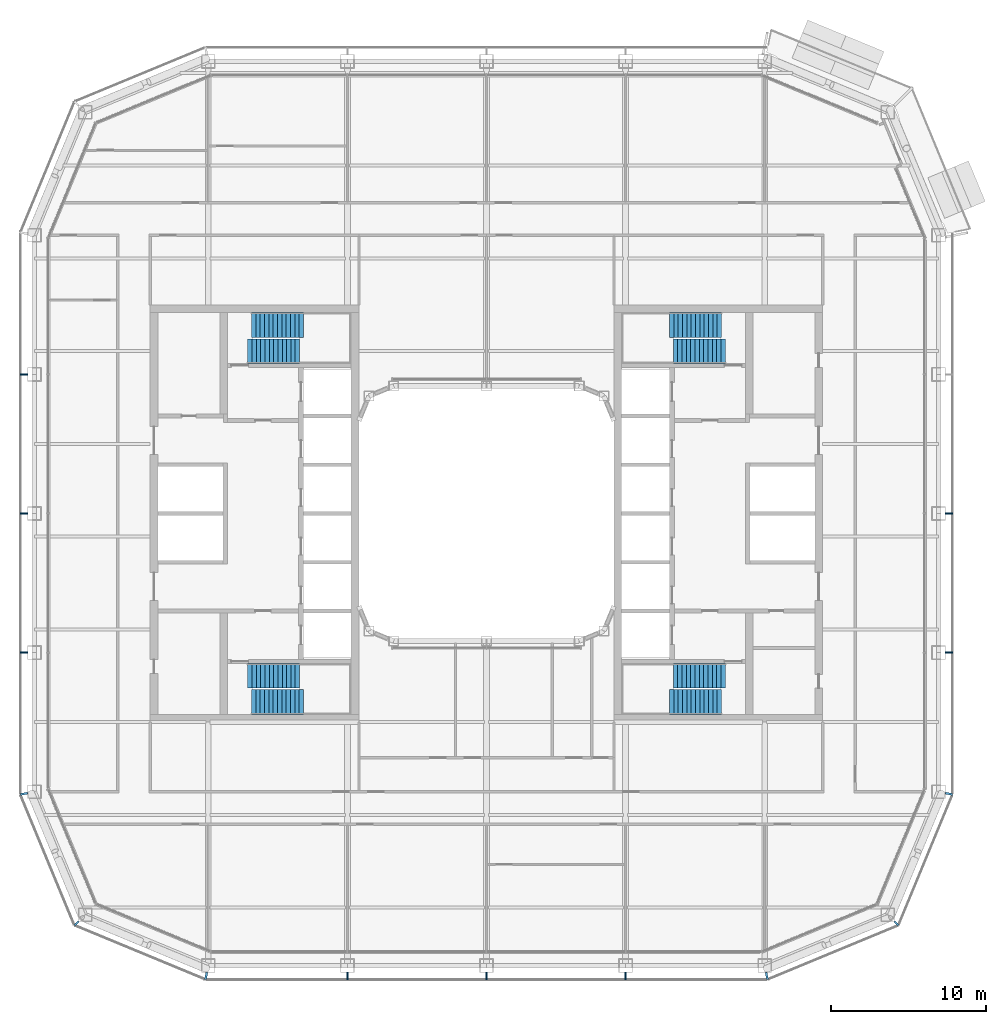
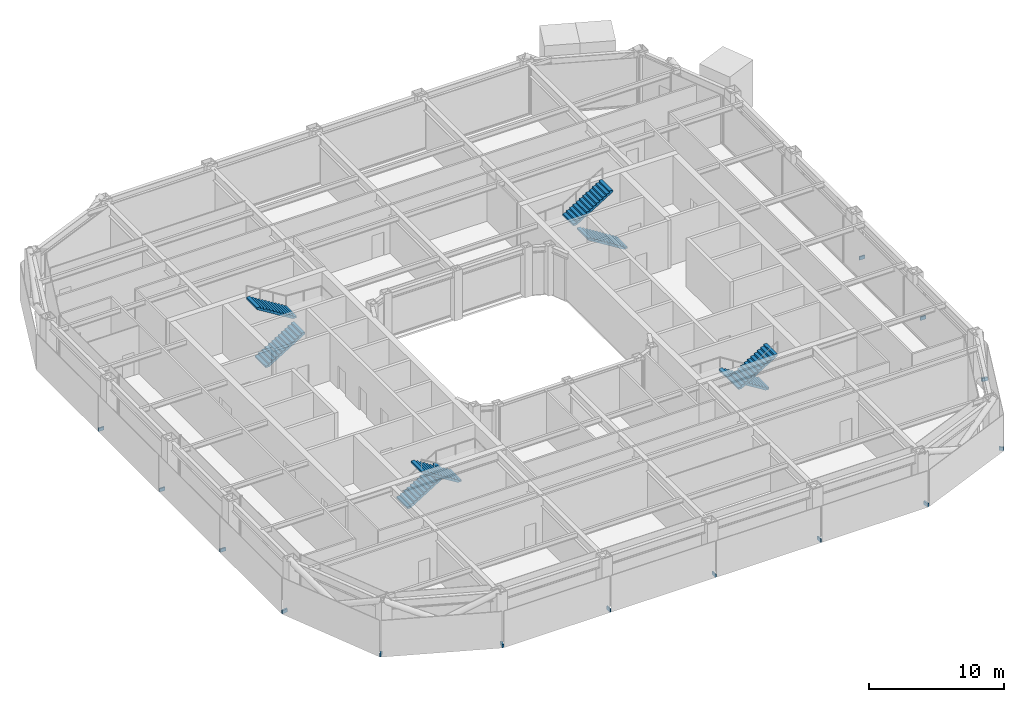
# One storey, part 15 of 23: 14 discrete accessories, 8 stair flights, 4 elements without a shape of their own.
"""IFC4 building model written with IfcOpenShell, lengths in metres."""

from ifc_helpers import new_model, si_unit, direction, frame, origin, origin_2d, place, context, subcontext, project, spatial, polyline, rectangle, outline, extrude, material, type_object, element, aggregate, save


model = new_model("IFC4")

# Units and contexts
model_context = context("Model", 3, precision=1e-05, world=origin(), true_north=direction((0.0, 1.0)))
body_context = subcontext(model_context, "Body", "Model", "MODEL_VIEW")
ifc_project = project(units=[si_unit("LENGTHUNIT", "METRE"), si_unit("AREAUNIT", "SQUARE_METRE"), si_unit("VOLUMEUNIT", "CUBIC_METRE"), si_unit("PLANEANGLEUNIT", "RADIAN"), si_unit("MASSUNIT", "GRAM", prefix="KILO")], contexts=[model_context])

# Site, building, storey
site_placement = place(None, origin())
site = spatial("IfcSite", under=ifc_project, at=site_placement, CompositionType="ELEMENT")
building_placement = place(site_placement, origin())
building = spatial("IfcBuilding", under=site, at=building_placement, Name="Siwar Civic Tower", CompositionType="ELEMENT")
storey_placement = place(building_placement, frame((0.0, 0.0, 167.699951171875)))
storey = spatial("IfcBuildingStorey", under=building, at=storey_placement, Name="L36", CompositionType="ELEMENT", Elevation=167.699951171875)

# Stair, stair flights
ifc_material_1 = material(Name="Concrete C40/50", Category="concrete")
stair_type = type_object("IfcStairType", Name="CORE-STAIR", PredefinedType="TWO_STRAIGHT_RUN_STAIR", material=ifc_material_1)
stair_1_placement = place(storey_placement, origin())
stair_1 = element("IfcStair", 1, at=stair_1_placement, inside=storey, type_object=stair_type, Name="Exit stair ST1", PredefinedType="TWO_STRAIGHT_RUN_STAIR")
ifc_material_2 = material(Name="Concrete C40/50", Category="concrete")
stair_flight_type = type_object("IfcStairFlightType", Name="CORE-STAIR-FLIGHT", PredefinedType="STRAIGHT", material=ifc_material_2)
stair_flight_1_placement = place(storey_placement, frame((-15.449951171875, 10.5, 0.0), z_axis=(0.0, 0.0, 1.0), x_axis=(1.0, 0.0, 0.0)))
stair_flight_1 = element("IfcStairFlight", 2, at=stair_flight_1_placement, type_object=stair_flight_type, Name="ST1 flight 1", NumberOfRisers=13, NumberOfTreads=12, PredefinedType="STRAIGHT", RiserHeight=0.173076923, TreadLength=0.28, context=body_context, shape_type="SweptSolid", body=[
    extrude(outline(polyline([(0.0, 0.0), (0.0, 0.173095703125), (0.280029296875, 0.173095703125), (0.280029296875, 0.34619140625), (0.56005859375, 0.34619140625), (0.56005859375, 0.519287109375), (0.840087890625, 0.519287109375), (0.840087890625, 0.6923828125), (1.1201171875, 0.6923828125), (1.1201171875, 0.865478515625), (1.39990234375, 0.865478515625), (1.39990234375, 1.03857421875), (1.679931640625, 1.03857421875), (1.679931640625, 1.21142578125), (1.9599609375, 1.21142578125), (1.9599609375, 1.384521484375), (2.239990234375, 1.384521484375), (2.239990234375, 1.5576171875), (2.52001953125, 1.5576171875), (2.52001953125, 1.730712890625), (2.800048828125, 1.730712890625), (2.800048828125, 1.90380859375), (3.080078125, 1.90380859375), (3.080078125, 2.076904296875), (3.360107421875, 2.076904296875), (3.360107421875, 2.25), (3.360107421875, 1.900634765625), (0.28515625, 0.0), (0.0, 0.0)])), frame((0.0, 0.800048828125, 0.0), z_axis=(0.0, -1.0, 0.0), x_axis=(1.0, 0.0, 0.0)), (0.0, 0.0, 1.0), 1.60009765625),
])
stair_flight_2_placement = place(storey_placement, frame((-11.840087890625, 12.199951171875, 2.25), z_axis=(0.0, 0.0, 1.0), x_axis=(-1.0, 0.0, 0.0)))
stair_flight_2 = element("IfcStairFlight", 3, at=stair_flight_2_placement, type_object=stair_flight_type, Name="ST1 flight 2", NumberOfRisers=13, NumberOfTreads=12, PredefinedType="STRAIGHT", RiserHeight=0.173076923, TreadLength=0.28, context=body_context, shape_type="SweptSolid", body=[
    extrude(outline(polyline([(0.0, 0.0), (0.0, 0.173095703125), (0.280029296875, 0.173095703125), (0.280029296875, 0.34619140625), (0.56005859375, 0.34619140625), (0.56005859375, 0.519287109375), (0.840087890625, 0.519287109375), (0.840087890625, 0.6923828125), (1.1201171875, 0.6923828125), (1.1201171875, 0.865478515625), (1.39990234375, 0.865478515625), (1.39990234375, 1.03857421875), (1.679931640625, 1.03857421875), (1.679931640625, 1.21142578125), (1.9599609375, 1.21142578125), (1.9599609375, 1.384521484375), (2.239990234375, 1.384521484375), (2.239990234375, 1.5576171875), (2.52001953125, 1.5576171875), (2.52001953125, 1.730712890625), (2.800048828125, 1.730712890625), (2.800048828125, 1.90380859375), (3.080078125, 1.90380859375), (3.080078125, 2.076904296875), (3.360107421875, 2.076904296875), (3.360107421875, 2.25), (3.360107421875, 1.900634765625), (0.28515625, 0.0), (0.0, 0.0)])), frame((0.0, 0.800048828125, 0.0), z_axis=(0.0, -1.0, 0.0), x_axis=(1.0, 0.0, 0.0)), (0.0, 0.0, 1.0), 1.60009765625),
])
aggregate(stair_1, [stair_flight_1, stair_flight_2])

stair_2_placement = place(storey_placement, origin())
stair_2 = element("IfcStair", 4, at=stair_2_placement, inside=storey, type_object=stair_type, Name="Exit stair ST2", PredefinedType="TWO_STRAIGHT_RUN_STAIR")
stair_flight_3_placement = place(storey_placement, frame((-15.449951171875, -10.5, 0.0), z_axis=(0.0, 0.0, 1.0), x_axis=(1.0, 0.0, 0.0)))
stair_flight_3 = element("IfcStairFlight", 5, at=stair_flight_3_placement, type_object=stair_flight_type, Name="ST2 flight 1", NumberOfRisers=13, NumberOfTreads=12, PredefinedType="STRAIGHT", RiserHeight=0.173076923, TreadLength=0.28, context=body_context, shape_type="SweptSolid", body=[
    extrude(outline(polyline([(0.0, 0.0), (0.0, 0.173095703125), (0.280029296875, 0.173095703125), (0.280029296875, 0.34619140625), (0.56005859375, 0.34619140625), (0.56005859375, 0.519287109375), (0.840087890625, 0.519287109375), (0.840087890625, 0.6923828125), (1.1201171875, 0.6923828125), (1.1201171875, 0.865478515625), (1.39990234375, 0.865478515625), (1.39990234375, 1.03857421875), (1.679931640625, 1.03857421875), (1.679931640625, 1.21142578125), (1.9599609375, 1.21142578125), (1.9599609375, 1.384521484375), (2.239990234375, 1.384521484375), (2.239990234375, 1.5576171875), (2.52001953125, 1.5576171875), (2.52001953125, 1.730712890625), (2.800048828125, 1.730712890625), (2.800048828125, 1.90380859375), (3.080078125, 1.90380859375), (3.080078125, 2.076904296875), (3.360107421875, 2.076904296875), (3.360107421875, 2.25), (3.360107421875, 1.900634765625), (0.28515625, 0.0), (0.0, 0.0)])), frame((0.0, 0.800048828125, 0.0), z_axis=(0.0, -1.0, 0.0), x_axis=(1.0, 0.0, 0.0)), (0.0, 0.0, 1.0), 1.60009765625),
])
stair_flight_4_placement = place(storey_placement, frame((-11.840087890625, -12.199951171875, 2.25), z_axis=(0.0, 0.0, 1.0), x_axis=(-1.0, 0.0, 0.0)))
stair_flight_4 = element("IfcStairFlight", 6, at=stair_flight_4_placement, type_object=stair_flight_type, Name="ST2 flight 2", NumberOfRisers=13, NumberOfTreads=12, PredefinedType="STRAIGHT", RiserHeight=0.173076923, TreadLength=0.28, context=body_context, shape_type="SweptSolid", body=[
    extrude(outline(polyline([(0.0, 0.0), (0.0, 0.173095703125), (0.280029296875, 0.173095703125), (0.280029296875, 0.34619140625), (0.56005859375, 0.34619140625), (0.56005859375, 0.519287109375), (0.840087890625, 0.519287109375), (0.840087890625, 0.6923828125), (1.1201171875, 0.6923828125), (1.1201171875, 0.865478515625), (1.39990234375, 0.865478515625), (1.39990234375, 1.03857421875), (1.679931640625, 1.03857421875), (1.679931640625, 1.21142578125), (1.9599609375, 1.21142578125), (1.9599609375, 1.384521484375), (2.239990234375, 1.384521484375), (2.239990234375, 1.5576171875), (2.52001953125, 1.5576171875), (2.52001953125, 1.730712890625), (2.800048828125, 1.730712890625), (2.800048828125, 1.90380859375), (3.080078125, 1.90380859375), (3.080078125, 2.076904296875), (3.360107421875, 2.076904296875), (3.360107421875, 2.25), (3.360107421875, 1.900634765625), (0.28515625, 0.0), (0.0, 0.0)])), frame((0.0, 0.800048828125, 0.0), z_axis=(0.0, -1.0, 0.0), x_axis=(1.0, 0.0, 0.0)), (0.0, 0.0, 1.0), 1.60009765625),
])
aggregate(stair_2, [stair_flight_3, stair_flight_4])

stair_3_placement = place(storey_placement, origin())
stair_3 = element("IfcStair", 7, at=stair_3_placement, inside=storey, type_object=stair_type, Name="Exit stair ST3", PredefinedType="TWO_STRAIGHT_RUN_STAIR")
stair_flight_5_placement = place(storey_placement, frame((15.449951171875, 10.5, 0.0), z_axis=(0.0, 0.0, 1.0), x_axis=(-1.0, 0.0, 0.0)))
stair_flight_5 = element("IfcStairFlight", 8, at=stair_flight_5_placement, type_object=stair_flight_type, Name="ST3 flight 1", NumberOfRisers=13, NumberOfTreads=12, PredefinedType="STRAIGHT", RiserHeight=0.173076923, TreadLength=0.28, context=body_context, shape_type="SweptSolid", body=[
    extrude(outline(polyline([(0.0, 0.0), (0.0, 0.173095703125), (0.280029296875, 0.173095703125), (0.280029296875, 0.34619140625), (0.56005859375, 0.34619140625), (0.56005859375, 0.519287109375), (0.840087890625, 0.519287109375), (0.840087890625, 0.6923828125), (1.1201171875, 0.6923828125), (1.1201171875, 0.865478515625), (1.39990234375, 0.865478515625), (1.39990234375, 1.03857421875), (1.679931640625, 1.03857421875), (1.679931640625, 1.21142578125), (1.9599609375, 1.21142578125), (1.9599609375, 1.384521484375), (2.239990234375, 1.384521484375), (2.239990234375, 1.5576171875), (2.52001953125, 1.5576171875), (2.52001953125, 1.730712890625), (2.800048828125, 1.730712890625), (2.800048828125, 1.90380859375), (3.080078125, 1.90380859375), (3.080078125, 2.076904296875), (3.360107421875, 2.076904296875), (3.360107421875, 2.25), (3.360107421875, 1.900634765625), (0.28515625, 0.0), (0.0, 0.0)])), frame((0.0, 0.800048828125, 0.0), z_axis=(0.0, -1.0, 0.0), x_axis=(1.0, 0.0, 0.0)), (0.0, 0.0, 1.0), 1.60009765625),
])
stair_flight_6_placement = place(storey_placement, frame((11.840087890625, 12.199951171875, 2.25), z_axis=(0.0, 0.0, 1.0), x_axis=(1.0, 0.0, 0.0)))
stair_flight_6 = element("IfcStairFlight", 9, at=stair_flight_6_placement, type_object=stair_flight_type, Name="ST3 flight 2", NumberOfRisers=13, NumberOfTreads=12, PredefinedType="STRAIGHT", RiserHeight=0.173076923, TreadLength=0.28, context=body_context, shape_type="SweptSolid", body=[
    extrude(outline(polyline([(0.0, 0.0), (0.0, 0.173095703125), (0.280029296875, 0.173095703125), (0.280029296875, 0.34619140625), (0.56005859375, 0.34619140625), (0.56005859375, 0.519287109375), (0.840087890625, 0.519287109375), (0.840087890625, 0.6923828125), (1.1201171875, 0.6923828125), (1.1201171875, 0.865478515625), (1.39990234375, 0.865478515625), (1.39990234375, 1.03857421875), (1.679931640625, 1.03857421875), (1.679931640625, 1.21142578125), (1.9599609375, 1.21142578125), (1.9599609375, 1.384521484375), (2.239990234375, 1.384521484375), (2.239990234375, 1.5576171875), (2.52001953125, 1.5576171875), (2.52001953125, 1.730712890625), (2.800048828125, 1.730712890625), (2.800048828125, 1.90380859375), (3.080078125, 1.90380859375), (3.080078125, 2.076904296875), (3.360107421875, 2.076904296875), (3.360107421875, 2.25), (3.360107421875, 1.900634765625), (0.28515625, 0.0), (0.0, 0.0)])), frame((0.0, 0.800048828125, 0.0), z_axis=(0.0, -1.0, 0.0), x_axis=(1.0, 0.0, 0.0)), (0.0, 0.0, 1.0), 1.60009765625),
])
aggregate(stair_3, [stair_flight_5, stair_flight_6])

stair_4_placement = place(storey_placement, origin())
stair_4 = element("IfcStair", 10, at=stair_4_placement, inside=storey, type_object=stair_type, Name="Exit stair ST4", PredefinedType="TWO_STRAIGHT_RUN_STAIR")
stair_flight_7_placement = place(storey_placement, frame((15.449951171875, -10.5, 0.0), z_axis=(0.0, 0.0, 1.0), x_axis=(-1.0, 0.0, 0.0)))
stair_flight_7 = element("IfcStairFlight", 11, at=stair_flight_7_placement, type_object=stair_flight_type, Name="ST4 flight 1", NumberOfRisers=13, NumberOfTreads=12, PredefinedType="STRAIGHT", RiserHeight=0.173076923, TreadLength=0.28, context=body_context, shape_type="SweptSolid", body=[
    extrude(outline(polyline([(0.0, 0.0), (0.0, 0.173095703125), (0.280029296875, 0.173095703125), (0.280029296875, 0.34619140625), (0.56005859375, 0.34619140625), (0.56005859375, 0.519287109375), (0.840087890625, 0.519287109375), (0.840087890625, 0.6923828125), (1.1201171875, 0.6923828125), (1.1201171875, 0.865478515625), (1.39990234375, 0.865478515625), (1.39990234375, 1.03857421875), (1.679931640625, 1.03857421875), (1.679931640625, 1.21142578125), (1.9599609375, 1.21142578125), (1.9599609375, 1.384521484375), (2.239990234375, 1.384521484375), (2.239990234375, 1.5576171875), (2.52001953125, 1.5576171875), (2.52001953125, 1.730712890625), (2.800048828125, 1.730712890625), (2.800048828125, 1.90380859375), (3.080078125, 1.90380859375), (3.080078125, 2.076904296875), (3.360107421875, 2.076904296875), (3.360107421875, 2.25), (3.360107421875, 1.900634765625), (0.28515625, 0.0), (0.0, 0.0)])), frame((0.0, 0.800048828125, 0.0), z_axis=(0.0, -1.0, 0.0), x_axis=(1.0, 0.0, 0.0)), (0.0, 0.0, 1.0), 1.60009765625),
])
stair_flight_8_placement = place(storey_placement, frame((11.840087890625, -12.199951171875, 2.25), z_axis=(0.0, 0.0, 1.0), x_axis=(1.0, 0.0, 0.0)))
stair_flight_8 = element("IfcStairFlight", 12, at=stair_flight_8_placement, type_object=stair_flight_type, Name="ST4 flight 2", NumberOfRisers=13, NumberOfTreads=12, PredefinedType="STRAIGHT", RiserHeight=0.173076923, TreadLength=0.28, context=body_context, shape_type="SweptSolid", body=[
    extrude(outline(polyline([(0.0, 0.0), (0.0, 0.173095703125), (0.280029296875, 0.173095703125), (0.280029296875, 0.34619140625), (0.56005859375, 0.34619140625), (0.56005859375, 0.519287109375), (0.840087890625, 0.519287109375), (0.840087890625, 0.6923828125), (1.1201171875, 0.6923828125), (1.1201171875, 0.865478515625), (1.39990234375, 0.865478515625), (1.39990234375, 1.03857421875), (1.679931640625, 1.03857421875), (1.679931640625, 1.21142578125), (1.9599609375, 1.21142578125), (1.9599609375, 1.384521484375), (2.239990234375, 1.384521484375), (2.239990234375, 1.5576171875), (2.52001953125, 1.5576171875), (2.52001953125, 1.730712890625), (2.800048828125, 1.730712890625), (2.800048828125, 1.90380859375), (3.080078125, 1.90380859375), (3.080078125, 2.076904296875), (3.360107421875, 2.076904296875), (3.360107421875, 2.25), (3.360107421875, 1.900634765625), (0.28515625, 0.0), (0.0, 0.0)])), frame((0.0, 0.800048828125, 0.0), z_axis=(0.0, -1.0, 0.0), x_axis=(1.0, 0.0, 0.0)), (0.0, 0.0, 1.0), 1.60009765625),
])
aggregate(stair_4, [stair_flight_7, stair_flight_8])

# Discrete accessories
ifc_material_3 = material(Name="Stainless steel 316", Category="steel")
discrete_accessory_type = type_object("IfcDiscreteAccessoryType", Name="ENV-BRACKET", PredefinedType="BRACKET", material=ifc_material_3)
for number, where, z_axis, x_axis, name in (
    (13, (29.9150390625, -9.0, -0.14990234375), (0.0, 0.0, 1.0), (1.0, 0.0, 0.0), "Bracket outer skin joint E-01"),
    (14, (29.9150390625, 0.0, -0.14990234375), (0.0, 0.0, 1.0), (1.0, 0.0, 0.0), "Bracket outer skin joint E-02"),
    (15, (-9.0, -29.9150390625, -0.14990234375), (0.0, 0.0, 1.0), (0.0, -1.0, 0.0), "Bracket outer skin joint S-01"),
    (16, (0.0, -29.9150390625, -0.14990234375), (0.0, 0.0, 1.0), (0.0, -1.0, 0.0), "Bracket outer skin joint S-02"),
    (17, (9.0, -29.9150390625, -0.14990234375), (0.0, 0.0, 1.0), (0.0, -1.0, 0.0), "Bracket outer skin joint S-03"),
):
    element("IfcDiscreteAccessory", number, at=place(storey_placement, frame(where, z_axis=z_axis, x_axis=x_axis)), inside=storey, type_object=discrete_accessory_type, Name=name, PredefinedType="BRACKET", context=body_context, shape_type="SweptSolid", body=[
        extrude(rectangle(XDim=0.469970703125, YDim=0.10009765625, at=origin_2d()), origin(), (0.0, 0.0, 1.0), 0.300048828125),
    ])
for number, where, z_axis, x_axis, name in (
    (18, (-18.13232421875, -29.915283203125, -0.14990234375), (0.0, 0.0, 1.0), (-0.195090322016, -0.980785280403, 0.0), "Bracket outer skin joint V00"),
    (19, (18.13232421875, -29.915283203125, -0.14990234375), (0.0, 0.0, 1.0), (0.195090322016, -0.980785280403, 0.0), "Bracket outer skin joint V01"),
):
    element("IfcDiscreteAccessory", number, at=place(storey_placement, frame(where, z_axis=z_axis, x_axis=x_axis)), inside=storey, type_object=discrete_accessory_type, Name=name, PredefinedType="BRACKET", context=body_context, shape_type="SweptSolid", body=[
        extrude(rectangle(XDim=0.478759765625, YDim=0.13720703125, at=origin_2d()), origin(), (0.0, 0.0, 1.0), 0.300048828125),
    ])
discrete_accessory_1_placement = place(storey_placement, frame((26.517333984375, -26.517333984375, -0.14990234375), z_axis=(0.0, 0.0, 1.0), x_axis=(0.707106781187, -0.707106781187, 0.0)))
element("IfcDiscreteAccessory", 20, at=discrete_accessory_1_placement, inside=storey, type_object=discrete_accessory_type, Name="Bracket outer skin joint V02", PredefinedType="BRACKET", context=body_context, shape_type="SweptSolid", body=[
    extrude(rectangle(XDim=0.357666015625, YDim=0.12939453125, at=origin_2d()), origin(), (0.0, 0.0, 1.0), 0.300048828125),
])
for number, where, z_axis, x_axis, name in (
    (21, (29.915283203125, -18.13232421875, -0.14990234375), (0.0, 0.0, 1.0), (0.980785280403, -0.195090322016, 0.0), "Bracket outer skin joint V03"),
    (22, (-29.915283203125, -18.13232421875, -0.14990234375), (0.0, 0.0, 1.0), (-0.980785280403, -0.195090322016, 0.0), "Bracket outer skin joint V10"),
):
    element("IfcDiscreteAccessory", number, at=place(storey_placement, frame(where, z_axis=z_axis, x_axis=x_axis)), inside=storey, type_object=discrete_accessory_type, Name=name, PredefinedType="BRACKET", context=body_context, shape_type="SweptSolid", body=[
        extrude(rectangle(XDim=0.478759765625, YDim=0.13720703125, at=origin_2d()), origin(), (0.0, 0.0, 1.0), 0.300048828125),
    ])
discrete_accessory_2_placement = place(storey_placement, frame((-26.517333984375, -26.517333984375, -0.14990234375), z_axis=(0.0, 0.0, 1.0), x_axis=(-0.707106781187, -0.707106781187, 0.0)))
element("IfcDiscreteAccessory", 23, at=discrete_accessory_2_placement, inside=storey, type_object=discrete_accessory_type, Name="Bracket outer skin joint V11", PredefinedType="BRACKET", context=body_context, shape_type="SweptSolid", body=[
    extrude(rectangle(XDim=0.357666015625, YDim=0.12939453125, at=origin_2d()), origin(), (0.0, 0.0, 1.0), 0.300048828125),
])
for number, where, z_axis, x_axis, name in (
    (24, (-29.9150390625, 9.0, -0.14990234375), (0.0, 0.0, 1.0), (-1.0, 0.0, 0.0), "Bracket outer skin joint W-01"),
    (25, (-29.9150390625, 0.0, -0.14990234375), (0.0, 0.0, 1.0), (-1.0, 0.0, 0.0), "Bracket outer skin joint W-02"),
    (26, (-29.9150390625, -9.0, -0.14990234375), (0.0, 0.0, 1.0), (-1.0, 0.0, 0.0), "Bracket outer skin joint W-03"),
):
    element("IfcDiscreteAccessory", number, at=place(storey_placement, frame(where, z_axis=z_axis, x_axis=x_axis)), inside=storey, type_object=discrete_accessory_type, Name=name, PredefinedType="BRACKET", context=body_context, shape_type="SweptSolid", body=[
        extrude(rectangle(XDim=0.469970703125, YDim=0.10009765625, at=origin_2d()), origin(), (0.0, 0.0, 1.0), 0.300048828125),
    ])

save(model, "model.ifc")
